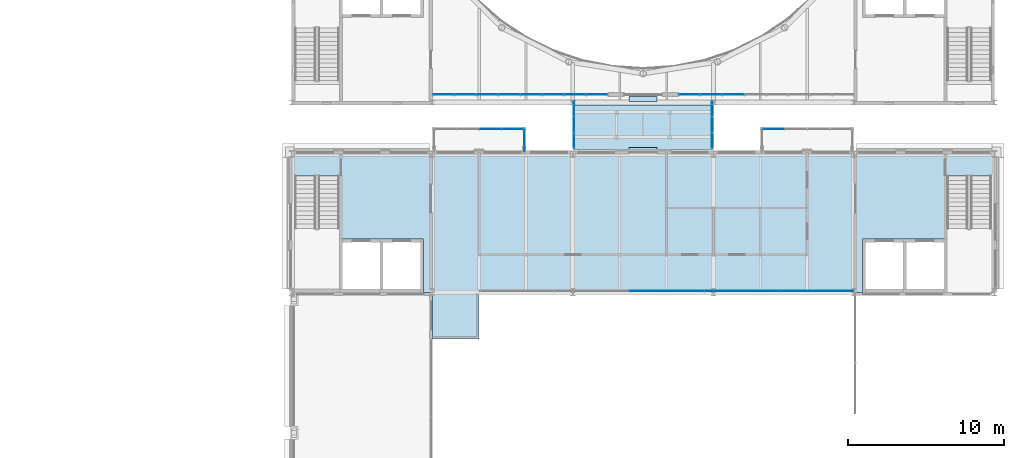
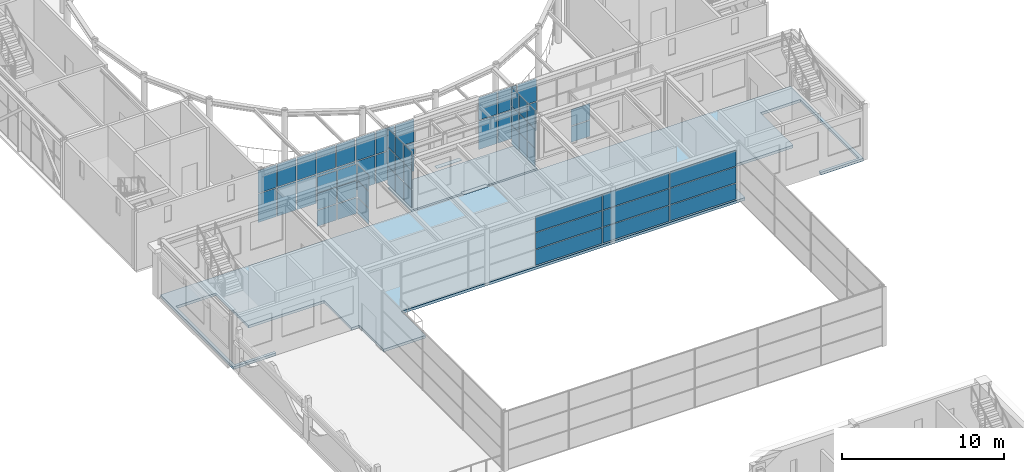
# One storey, part 46 of 70: 62 plates, 2 slabs, 8 elements without a shape of their own.
"""IFC4 building model written with IfcOpenShell, lengths in metres."""

import ifcopenshell
import ifcopenshell.guid

model = None  # the IFC model being written
_history = None  # IfcOwnerHistory: only IFC2X3 demands one
_inside = {}  # id of a spatial element -> (the spatial element, [elements in it])
_under = {}  # id of a project, library or spatial element -> (it, [spatial elements below it])
_declared = {}  # id of a project -> (the project, [libraries it declares])
_typed = {}  # id of a type object -> (the type object, [elements of that type])
_made_of = {}  # id of a material, layer set ... -> (it, [elements and type objects made of it])


def new_model(schema):
    """Start an empty IFC model of exactly this schema.

    Asked for "IFC4X3", IfcOpenShell would pick the latest addendum, in which some entities
    have other attributes; the version numbers below select the first issue.
    IFC2X3 requires an IfcOwnerHistory on every rooted entity: one is made here for all.
    """
    global model, _history
    if schema == "IFC4X3":
        model = ifcopenshell.file(schema_version=(4, 3, 0, 0))
    else:
        model = ifcopenshell.file(schema=schema)
    _inside.clear()
    _under.clear()
    _declared.clear()
    _typed.clear()
    _made_of.clear()
    _history = None
    if model.schema == "IFC2X3":
        org = make("IfcOrganization", Name="unknown")
        user = make(
            "IfcPersonAndOrganization",
            ThePerson=make("IfcPerson", FamilyName="unknown"),
            TheOrganization=org,
        )
        app = make(
            "IfcApplication",
            ApplicationDeveloper=org,
            Version="unknown",
            ApplicationFullName="unknown",
            ApplicationIdentifier="unknown",
        )
        _history = make(
            "IfcOwnerHistory",
            OwningUser=user,
            OwningApplication=app,
            ChangeAction="ADDED",
            CreationDate=0,
        )
    return model


def make(cls, **values):
    """One entity of the class cls with the attributes given. An attribute that is None is left unset."""
    return model.create_entity(
        cls, **{name: value for name, value in values.items() if value is not None}
    )


def rooted(cls, **values):
    """An entity with a GlobalId (a new one), such as an element, a storey or a relation."""
    return make(cls, GlobalId=ifcopenshell.guid.new(), OwnerHistory=_history, **values)


def si_unit(unit_type, name, prefix=None):
    """IfcSIUnit, for example si_unit("LENGTHUNIT", "METRE", prefix="MILLI")."""
    return make("IfcSIUnit", UnitType=unit_type, Prefix=prefix, Name=name)


def assignment(units):
    """IfcUnitAssignment: the units of a project."""
    return None if units is None else make("IfcUnitAssignment", Units=units)


def point(xyz):
    """IfcCartesianPoint."""
    return None if xyz is None else make("IfcCartesianPoint", Coordinates=xyz)


def direction(xyz):
    """IfcDirection."""
    return None if xyz is None else make("IfcDirection", DirectionRatios=xyz)


def frame(location, z_axis=None, x_axis=None):
    """IfcAxis2Placement3D, a coordinate frame: its origin and axes. An axis left out is left unset."""
    return make(
        "IfcAxis2Placement3D",
        Location=point(location),
        Axis=direction(z_axis),
        RefDirection=direction(x_axis),
    )


def frame_2d(location, x_axis=None):
    """IfcAxis2Placement2D, a coordinate frame in the plane: its origin and x axis."""
    return make(
        "IfcAxis2Placement2D", Location=point(location), RefDirection=direction(x_axis)
    )


def origin():
    """The frame at (0, 0, 0) with its axes left unset."""
    return frame((0.0, 0.0, 0.0))


def origin_2d():
    """The frame at (0, 0) in the plane with its x axis left unset."""
    return frame_2d((0.0, 0.0))


def place(relative_to, where):
    """IfcLocalPlacement: puts the frame where relative to a parent placement (None: the world)."""
    return make(
        "IfcLocalPlacement", PlacementRelTo=relative_to, RelativePlacement=where
    )


def context(
    kind, dimensions, precision=None, world=None, true_north=None, identifier=None
):
    """IfcGeometricRepresentationContext, for example the 3D "Model" context."""
    return make(
        "IfcGeometricRepresentationContext",
        ContextIdentifier=identifier,
        ContextType=kind,
        CoordinateSpaceDimension=dimensions,
        Precision=precision,
        WorldCoordinateSystem=world,
        TrueNorth=true_north,
    )


def subcontext(parent, identifier, kind, view, scale=None):
    """IfcGeometricRepresentationSubContext, for example "Body" below "Model"."""
    return make(
        "IfcGeometricRepresentationSubContext",
        ContextIdentifier=identifier,
        ContextType=kind,
        ParentContext=parent,
        TargetScale=scale,
        TargetView=view,
    )


def project(units=None, contexts=None):
    """IfcProject with its units and contexts."""
    return rooted(
        "IfcProject",
        Name="project",
        RepresentationContexts=contexts,
        UnitsInContext=assignment(units),
    )


def spatial(cls, under=None, at=None, **own):
    """A site, building, storey or space (cls), placed at a placement, below another one or the project."""
    s = rooted(cls, ObjectPlacement=at, **own)
    if under is not None:
        _under.setdefault(under.id(), (under, []))[1].append(s)
    return s


def polyline(points):
    """IfcPolyline through the points."""
    return make("IfcPolyline", Points=[point(p) for p in points])


def profile(cls, at=None, kind="AREA", **sizes):
    """A parametric profile (cls). Its sizes go by their IFC names, for example OverallWidth=200.0."""
    return make(cls, ProfileType=kind, Position=at, **sizes)


def rectangle(**sizes):
    """IfcRectangleProfileDef."""
    return profile("IfcRectangleProfileDef", **sizes)


def outline(outer, holes=None, kind="AREA"):
    """IfcArbitraryClosedProfileDef: a profile drawn as a closed curve; with holes, ...WithVoids."""
    if holes is None:
        return make("IfcArbitraryClosedProfileDef", ProfileType=kind, OuterCurve=outer)
    return make(
        "IfcArbitraryProfileDefWithVoids",
        ProfileType=kind,
        OuterCurve=outer,
        InnerCurves=holes,
    )


def extrude(swept, where, along, depth):
    """IfcExtrudedAreaSolid: the profile swept, set in the frame where, extruded along a direction by depth."""
    return make(
        "IfcExtrudedAreaSolid",
        SweptArea=swept,
        Position=where,
        ExtrudedDirection=direction(along),
        Depth=depth,
    )


def shape(context_of_items, identifier, shape_type, items):
    """IfcShapeRepresentation: the items that make up one representation, for example the "Body"."""
    return make(
        "IfcShapeRepresentation",
        ContextOfItems=context_of_items,
        RepresentationIdentifier=identifier,
        RepresentationType=shape_type,
        Items=items,
    )


def material(Name=None, Category=None):
    """IfcMaterial."""
    return make("IfcMaterial", Name=Name, Category=Category)


def layer(
    of_material, thickness, ventilated=None, Name=None, Category=None, Priority=None
):
    """IfcMaterialLayer: one layer of a wall or slab, of a material (None: an air gap)."""
    return make(
        "IfcMaterialLayer",
        Material=of_material,
        LayerThickness=thickness,
        IsVentilated=ventilated,
        Name=Name,
        Category=Category,
        Priority=Priority,
    )


def layer_set(layers, Name=None):
    """IfcMaterialLayerSet."""
    return make("IfcMaterialLayerSet", MaterialLayers=layers, LayerSetName=Name)


def made_of(thing, what):
    """Note that an element or type object is made of a material, layer set ...; save() writes the relation."""
    if what is not None:
        _made_of.setdefault(what.id(), (what, []))[1].append(thing)
    return thing


def type_object(cls, material=None, **own):
    """A type object (cls), such as IfcWallType, which elements share."""
    return made_of(rooted(cls, **own), material)


def element(
    cls,
    number,
    at=None,
    inside=None,
    cuts=None,
    type_object=None,
    material=None,
    context=None,
    identifier="Body",
    shape_type=None,
    held_by="IfcProductDefinitionShape",
    body=None,
    shapes=None,
    **own,
):
    """One element of the class cls, such as IfcWall. Its Tag is "e" and its number.

    at: its placement. inside: the storey or other place that contains it. cuts: it is an
    opening in that element (IfcRelVoidsElement). A single representation is given by context,
    identifier, shape_type and body (its items); several are given by shapes. held_by: the class
    of the entity that holds the representations. save() writes the other relations.
    """
    e = rooted(cls, Tag="e%d" % number, ObjectPlacement=at, **own)
    if body is not None:
        shapes = [shape(context, identifier, shape_type, body)]
    if shapes is not None:
        e.Representation = make(held_by, Representations=shapes)
    if inside is not None:
        _inside.setdefault(inside.id(), (inside, []))[1].append(e)
    if cuts is not None:
        rooted(
            "IfcRelVoidsElement", RelatingBuildingElement=cuts, RelatedOpeningElement=e
        )
    if type_object is not None:
        _typed.setdefault(type_object.id(), (type_object, []))[1].append(e)
    return made_of(e, material)


def aggregate(whole, parts):
    """IfcRelAggregates: a whole, such as a stair, and the parts it consists of."""
    return rooted("IfcRelAggregates", RelatingObject=whole, RelatedObjects=parts)


def save(model, path):
    """Write the relations noted so far, then the file.

    IfcRelAggregates (storeys below a building ...), IfcRelContainedInSpatialStructure (elements
    in a storey), IfcRelDefinesByType, IfcRelAssociatesMaterial and IfcRelDeclares: one each for
    every whole, place, type object, material and project.
    """
    for whole, parts in _under.values():
        aggregate(whole, parts)
    for where, things in _inside.values():
        rooted(
            "IfcRelContainedInSpatialStructure",
            RelatedElements=things,
            RelatingStructure=where,
        )
    for kind, things in _typed.values():
        rooted("IfcRelDefinesByType", RelatedObjects=things, RelatingType=kind)
    for what, things in _made_of.values():
        rooted("IfcRelAssociatesMaterial", RelatedObjects=things, RelatingMaterial=what)
    for by, libraries in _declared.values():
        rooted("IfcRelDeclares", RelatingContext=by, RelatedDefinitions=libraries)
    model.write(path)


model = new_model("IFC4")

# Units and contexts
model_context = context("Model", 3, precision=1e-05, world=origin(), true_north=direction((0.0, 1.0)))
body_context = subcontext(model_context, "Body", "Model", "MODEL_VIEW")
ifc_project = project(units=[si_unit("LENGTHUNIT", "METRE"), si_unit("AREAUNIT", "SQUARE_METRE"), si_unit("VOLUMEUNIT", "CUBIC_METRE"), si_unit("PLANEANGLEUNIT", "RADIAN"), si_unit("MASSUNIT", "GRAM", prefix="KILO")], contexts=[model_context])

# Site, building, storey
site_placement = place(None, origin())
site = spatial("IfcSite", under=ifc_project, at=site_placement, CompositionType="ELEMENT")
building_placement = place(site_placement, origin())
building = spatial("IfcBuilding", under=site, at=building_placement, Name="Kallimachos Central Library", CompositionType="ELEMENT")
storey_placement = place(building_placement, frame((0.0, 0.0, 18.89990234375)))
storey = spatial("IfcBuildingStorey", under=building, at=storey_placement, Name="L04", CompositionType="ELEMENT", Elevation=18.89990234375)

# Curtain wall, plates
ifc_material_1 = material(Name="Aluminium and laminated glass", Category="aluminium")
curtain_wall_type_1 = type_object("IfcCurtainWallType", Name="Atrium glazed screen", PredefinedType="NOTDEFINED", material=ifc_material_1)
curtain_wall_1_placement = place(storey_placement, origin())
curtain_wall_1 = element("IfcCurtainWall", 1, at=curtain_wall_1_placement, inside=storey, type_object=curtain_wall_type_1, Name="L04 atrium screen N", PredefinedType="NOTDEFINED")
ifc_material_2 = material(Name="Laminated glass", Category="glass")
ifc_layer_1 = layer(ifc_material_2, 0.028076171875)
ifc_layer_set_1 = layer_set([ifc_layer_1], Name="Atrium screen glass panel")
plate_type_1 = type_object("IfcPlateType", Name="Atrium screen glass panel", PredefinedType="CURTAIN_PANEL", material=ifc_layer_set_1)
plate_1_placement = place(storey_placement, frame((89.5, 75.080078125, 0.06005859375), z_axis=(0.0, 0.0, 1.0), x_axis=(1.0, 0.0, 0.0)))
plate_1 = element("IfcPlate", 2, at=plate_1_placement, type_object=plate_type_1, Name="CW panel 3.1", PredefinedType="CURTAIN_PANEL", context=body_context, shape_type="SweptSolid", body=[
    extrude(rectangle(XDim=4.739990234375, YDim=0.028076171875, at=origin_2d()), origin(), (0.0, 0.0, 1.0), 1.1767578125),
])
plate_2_placement = place(storey_placement, frame((89.5, 75.080078125, 1.296875), z_axis=(0.0, 0.0, 1.0), x_axis=(1.0, 0.0, 0.0)))
plate_2 = element("IfcPlate", 3, at=plate_2_placement, type_object=plate_type_1, Name="CW panel 3.2", PredefinedType="CURTAIN_PANEL", context=body_context, shape_type="SweptSolid", body=[
    extrude(rectangle(XDim=4.739990234375, YDim=0.028076171875, at=origin_2d()), origin(), (0.0, 0.0, 1.0), 1.206787109375),
])
plate_3_placement = place(storey_placement, frame((89.5, 75.080078125, 2.5634765625), z_axis=(0.0, 0.0, 1.0), x_axis=(1.0, 0.0, 0.0)))
plate_3 = element("IfcPlate", 4, at=plate_3_placement, type_object=plate_type_1, Name="CW panel 3.3", PredefinedType="CURTAIN_PANEL", context=body_context, shape_type="SweptSolid", body=[
    extrude(rectangle(XDim=4.739990234375, YDim=0.028076171875, at=origin_2d()), origin(), (0.0, 0.0, 1.0), 1.1767578125),
])
plate_4_placement = place(storey_placement, frame((94.300048828125, 75.080078125, 0.06005859375), z_axis=(0.0, 0.0, 1.0), x_axis=(1.0, 0.0, 0.0)))
plate_4 = element("IfcPlate", 5, at=plate_4_placement, type_object=plate_type_1, Name="CW panel 4.1", PredefinedType="CURTAIN_PANEL", context=body_context, shape_type="SweptSolid", body=[
    extrude(rectangle(XDim=4.739990234375, YDim=0.028076171875, at=origin_2d()), origin(), (0.0, 0.0, 1.0), 1.1767578125),
])
plate_5_placement = place(storey_placement, frame((94.300048828125, 75.080078125, 1.296875), z_axis=(0.0, 0.0, 1.0), x_axis=(1.0, 0.0, 0.0)))
plate_5 = element("IfcPlate", 6, at=plate_5_placement, type_object=plate_type_1, Name="CW panel 4.2", PredefinedType="CURTAIN_PANEL", context=body_context, shape_type="SweptSolid", body=[
    extrude(rectangle(XDim=4.739990234375, YDim=0.028076171875, at=origin_2d()), origin(), (0.0, 0.0, 1.0), 1.206787109375),
])
plate_6_placement = place(storey_placement, frame((94.300048828125, 75.080078125, 2.5634765625), z_axis=(0.0, 0.0, 1.0), x_axis=(1.0, 0.0, 0.0)))
plate_6 = element("IfcPlate", 7, at=plate_6_placement, type_object=plate_type_1, Name="CW panel 4.3", PredefinedType="CURTAIN_PANEL", context=body_context, shape_type="SweptSolid", body=[
    extrude(rectangle(XDim=4.739990234375, YDim=0.028076171875, at=origin_2d()), origin(), (0.0, 0.0, 1.0), 1.1767578125),
])
plate_7_placement = place(storey_placement, frame((99.0849609375, 75.080078125, 0.06005859375), z_axis=(0.0, 0.0, 1.0), x_axis=(1.0, 0.0, 0.0)))
plate_7 = element("IfcPlate", 8, at=plate_7_placement, type_object=plate_type_1, Name="CW panel 5.1", PredefinedType="CURTAIN_PANEL", context=body_context, shape_type="SweptSolid", body=[
    extrude(rectangle(XDim=4.7099609375, YDim=0.028076171875, at=origin_2d()), origin(), (0.0, 0.0, 1.0), 1.1767578125),
])
plate_8_placement = place(storey_placement, frame((99.0849609375, 75.080078125, 1.296875), z_axis=(0.0, 0.0, 1.0), x_axis=(1.0, 0.0, 0.0)))
plate_8 = element("IfcPlate", 9, at=plate_8_placement, type_object=plate_type_1, Name="CW panel 5.2", PredefinedType="CURTAIN_PANEL", context=body_context, shape_type="SweptSolid", body=[
    extrude(rectangle(XDim=4.7099609375, YDim=0.028076171875, at=origin_2d()), origin(), (0.0, 0.0, 1.0), 1.206787109375),
])
plate_9_placement = place(storey_placement, frame((99.0849609375, 75.080078125, 2.5634765625), z_axis=(0.0, 0.0, 1.0), x_axis=(1.0, 0.0, 0.0)))
plate_9 = element("IfcPlate", 10, at=plate_9_placement, type_object=plate_type_1, Name="CW panel 5.3", PredefinedType="CURTAIN_PANEL", context=body_context, shape_type="SweptSolid", body=[
    extrude(rectangle(XDim=4.7099609375, YDim=0.028076171875, at=origin_2d()), origin(), (0.0, 0.0, 1.0), 1.1767578125),
])
aggregate(curtain_wall_1, [plate_1, plate_2, plate_3, plate_4, plate_5, plate_6, plate_7, plate_8, plate_9])

# Slabs
ifc_material_3 = material(Name="Composite slab C30/37 on steel deck", Category="concrete")
ifc_layer_2 = layer(ifc_material_3, 0.14990234375)
ifc_layer_set_2 = layer_set([ifc_layer_2], Name="Composite floor slab 150")
slab_type_1 = type_object("IfcSlabType", Name="Composite floor slab 150", PredefinedType="FLOOR", material=ifc_layer_set_2)
slab_1_placement = place(storey_placement, frame((0.0, 0.0, -0.14990234375)))
element("IfcSlab", 11, at=slab_1_placement, inside=storey, type_object=slab_type_1, Name="Reading Link floor L04", PredefinedType="FLOOR", context=body_context, shape_type="SweptSolid", body=[
    extrude(outline(polyline([(92.5, 84.14990234375), (83.5, 84.14990234375), (83.5, 87.0), (92.5, 87.0), (92.5, 84.14990234375)])), origin(), (0.0, 0.0, 1.0), 0.14990234375),
])
ifc_material_4 = material(Name="Composite slab C30/37 on steel deck", Category="concrete")
ifc_layer_3 = layer(ifc_material_4, 0.199951171875)
ifc_layer_set_3 = layer_set([ifc_layer_3], Name="Composite floor slab 200")
slab_type_2 = type_object("IfcSlabType", Name="Composite floor slab 200", PredefinedType="FLOOR", material=ifc_layer_set_3)
slab_2_placement = place(storey_placement, frame((0.0, 0.0, -0.199951171875)))
element("IfcSlab", 12, at=slab_2_placement, inside=storey, type_object=slab_type_2, Name="V4-SLB-L04-001", PredefinedType="FLOOR", context=body_context, shape_type="SweptSolid", body=[
    extrude(outline(polyline([(74.5, 72.0), (74.5, 75.0), (73.949951171875, 75.0), (73.949951171875, 78.39990234375), (71.35009765625, 78.39990234375), (71.14990234375, 78.39990234375), (68.550048828125, 78.39990234375), (68.550048828125, 82.446044921875), (65.699951171875, 82.446044921875), (65.699951171875, 75.199951171875), (68.550048828125, 75.199951171875), (68.550048828125, 75.0), (65.5, 75.0), (65.5, 84.0), (110.5, 84.0), (110.5, 75.0), (107.449951171875, 75.0), (107.449951171875, 75.199951171875), (110.300048828125, 75.199951171875), (110.300048828125, 82.446044921875), (107.449951171875, 82.446044921875), (107.449951171875, 78.39990234375), (104.85009765625, 78.39990234375), (104.64990234375, 78.39990234375), (102.050048828125, 78.39990234375), (102.050048828125, 75.0), (77.5, 75.0), (77.5, 72.0), (74.5, 72.0)])), origin(), (0.0, 0.0, 1.0), 0.199951171875),
])

# Plates
ifc_material_5 = material(Name="Stainless steel plate", Category="steel")
ifc_layer_4 = layer(ifc_material_5, 0.011962890625)
ifc_layer_set_4 = layer_set([ifc_layer_4], Name="Joint cover plate")
plate_type_2 = type_object("IfcPlateType", Name="Joint cover plate", PredefinedType="SHEET", material=ifc_layer_set_4)
for number, where, z_axis, x_axis, name in (
    (13, (88.0, 84.10791015625, 0.0), (0.0, 0.0, 1.0), (1.0, 0.0, 0.0), "Reading Link joint cover plate L04"),
    (14, (88.0, 87.375, 0.0), (0.0, 0.0, 1.0), (1.0, 0.0, 0.0), "Reading Link joint cover plate L04"),
):
    element("IfcPlate", number, at=place(storey_placement, frame(where, z_axis=z_axis, x_axis=x_axis)), inside=storey, type_object=plate_type_2, Name=name, PredefinedType="SHEET", context=body_context, shape_type="SweptSolid", body=[
        extrude(rectangle(XDim=1.780029296875, YDim=0.300048828125, at=origin_2d()), origin(), (0.0, 0.0, 1.0), 0.011962890625),
    ])

# Curtain wall, plates
ifc_material_6 = material(Name="Anodised aluminium and laminated glass", Category="aluminium")
ifc_layer_5 = layer(ifc_material_6, 0.159912109375)
ifc_layer_set_5 = layer_set([ifc_layer_5], Name="Glass box curtain wall")
curtain_wall_type_2 = type_object("IfcCurtainWallType", Name="Glass box curtain wall", PredefinedType="NOTDEFINED", material=ifc_layer_set_5)
curtain_wall_2_placement = place(storey_placement, origin())
curtain_wall_2 = element("IfcCurtainWall", 15, at=curtain_wall_2_placement, inside=storey, type_object=curtain_wall_type_2, Name="Glass box curtain wall S L04", PredefinedType="NOTDEFINED")
ifc_material_7 = material(Name="Laminated glass", Category="glass")
ifc_layer_6 = layer(ifc_material_7, 0.028076171875)
ifc_layer_set_6 = layer_set([ifc_layer_6], Name="Laminated glass panel 28")
plate_type_3 = type_object("IfcPlateType", Name="Laminated glass panel 28", PredefinedType="CURTAIN_PANEL", material=ifc_layer_set_6)
plate_10_placement = place(storey_placement, frame((75.218017578125, 87.64990234375, 0.06005859375), z_axis=(0.0, 0.0, 1.0), x_axis=(1.0, 0.0, 0.0)))
plate_10 = element("IfcPlate", 16, at=plate_10_placement, type_object=plate_type_3, Name="CW28 panel 1.1", PredefinedType="CURTAIN_PANEL", context=body_context, shape_type="SweptSolid", body=[
    extrude(rectangle(XDim=1.316162109375, YDim=0.028076171875, at=origin_2d()), origin(), (0.0, 0.0, 1.0), 2.159912109375),
])
plate_11_placement = place(storey_placement, frame((75.218017578125, 87.64990234375, 2.280029296875), z_axis=(0.0, 0.0, 1.0), x_axis=(1.0, 0.0, 0.0)))
plate_11 = element("IfcPlate", 17, at=plate_11_placement, type_object=plate_type_3, Name="CW28 panel 1.2", PredefinedType="CURTAIN_PANEL", context=body_context, shape_type="SweptSolid", body=[
    extrude(rectangle(XDim=1.316162109375, YDim=0.028076171875, at=origin_2d()), origin(), (0.0, 0.0, 1.0), 1.7099609375),
])
plate_12_placement = place(storey_placement, frame((76.609375, 87.64990234375, 0.06005859375), z_axis=(0.0, 0.0, 1.0), x_axis=(1.0, 0.0, 0.0)))
plate_12 = element("IfcPlate", 18, at=plate_12_placement, type_object=plate_type_3, Name="CW28 panel 2.1", PredefinedType="CURTAIN_PANEL", context=body_context, shape_type="SweptSolid", body=[
    extrude(rectangle(XDim=1.34619140625, YDim=0.028076171875, at=origin_2d()), origin(), (0.0, 0.0, 1.0), 2.159912109375),
])
plate_13_placement = place(storey_placement, frame((76.609375, 87.64990234375, 2.280029296875), z_axis=(0.0, 0.0, 1.0), x_axis=(1.0, 0.0, 0.0)))
plate_13 = element("IfcPlate", 19, at=plate_13_placement, type_object=plate_type_3, Name="CW28 panel 2.2", PredefinedType="CURTAIN_PANEL", context=body_context, shape_type="SweptSolid", body=[
    extrude(rectangle(XDim=1.34619140625, YDim=0.028076171875, at=origin_2d()), origin(), (0.0, 0.0, 1.0), 1.7099609375),
])
plate_14_placement = place(storey_placement, frame((78.015625, 87.64990234375, 0.06005859375), z_axis=(0.0, 0.0, 1.0), x_axis=(1.0, 0.0, 0.0)))
plate_14 = element("IfcPlate", 20, at=plate_14_placement, type_object=plate_type_3, Name="CW28 panel 3.1", PredefinedType="CURTAIN_PANEL", context=body_context, shape_type="SweptSolid", body=[
    extrude(rectangle(XDim=1.34619140625, YDim=0.028076171875, at=origin_2d()), origin(), (0.0, 0.0, 1.0), 2.159912109375),
])
plate_15_placement = place(storey_placement, frame((78.015625, 87.64990234375, 2.280029296875), z_axis=(0.0, 0.0, 1.0), x_axis=(1.0, 0.0, 0.0)))
plate_15 = element("IfcPlate", 21, at=plate_15_placement, type_object=plate_type_3, Name="CW28 panel 3.2", PredefinedType="CURTAIN_PANEL", context=body_context, shape_type="SweptSolid", body=[
    extrude(rectangle(XDim=1.34619140625, YDim=0.028076171875, at=origin_2d()), origin(), (0.0, 0.0, 1.0), 1.7099609375),
])
plate_16_placement = place(storey_placement, frame((79.421875, 87.64990234375, 0.06005859375), z_axis=(0.0, 0.0, 1.0), x_axis=(1.0, 0.0, 0.0)))
plate_16 = element("IfcPlate", 22, at=plate_16_placement, type_object=plate_type_3, Name="CW28 panel 4.1", PredefinedType="CURTAIN_PANEL", context=body_context, shape_type="SweptSolid", body=[
    extrude(rectangle(XDim=1.34619140625, YDim=0.028076171875, at=origin_2d()), origin(), (0.0, 0.0, 1.0), 2.159912109375),
])
plate_17_placement = place(storey_placement, frame((79.421875, 87.64990234375, 2.280029296875), z_axis=(0.0, 0.0, 1.0), x_axis=(1.0, 0.0, 0.0)))
plate_17 = element("IfcPlate", 23, at=plate_17_placement, type_object=plate_type_3, Name="CW28 panel 4.2", PredefinedType="CURTAIN_PANEL", context=body_context, shape_type="SweptSolid", body=[
    extrude(rectangle(XDim=1.34619140625, YDim=0.028076171875, at=origin_2d()), origin(), (0.0, 0.0, 1.0), 1.7099609375),
])
plate_18_placement = place(storey_placement, frame((80.828125, 87.64990234375, 0.06005859375), z_axis=(0.0, 0.0, 1.0), x_axis=(1.0, 0.0, 0.0)))
plate_18 = element("IfcPlate", 24, at=plate_18_placement, type_object=plate_type_3, Name="CW28 panel 5.1", PredefinedType="CURTAIN_PANEL", context=body_context, shape_type="SweptSolid", body=[
    extrude(rectangle(XDim=1.34619140625, YDim=0.028076171875, at=origin_2d()), origin(), (0.0, 0.0, 1.0), 2.159912109375),
])
plate_19_placement = place(storey_placement, frame((80.828125, 87.64990234375, 2.280029296875), z_axis=(0.0, 0.0, 1.0), x_axis=(1.0, 0.0, 0.0)))
plate_19 = element("IfcPlate", 25, at=plate_19_placement, type_object=plate_type_3, Name="CW28 panel 5.2", PredefinedType="CURTAIN_PANEL", context=body_context, shape_type="SweptSolid", body=[
    extrude(rectangle(XDim=1.34619140625, YDim=0.028076171875, at=origin_2d()), origin(), (0.0, 0.0, 1.0), 1.7099609375),
])
plate_20_placement = place(storey_placement, frame((82.234375, 87.64990234375, 0.06005859375), z_axis=(0.0, 0.0, 1.0), x_axis=(1.0, 0.0, 0.0)))
plate_20 = element("IfcPlate", 26, at=plate_20_placement, type_object=plate_type_3, Name="CW28 panel 6.1", PredefinedType="CURTAIN_PANEL", context=body_context, shape_type="SweptSolid", body=[
    extrude(rectangle(XDim=1.34619140625, YDim=0.028076171875, at=origin_2d()), origin(), (0.0, 0.0, 1.0), 2.159912109375),
])
plate_21_placement = place(storey_placement, frame((82.234375, 87.64990234375, 2.280029296875), z_axis=(0.0, 0.0, 1.0), x_axis=(1.0, 0.0, 0.0)))
plate_21 = element("IfcPlate", 27, at=plate_21_placement, type_object=plate_type_3, Name="CW28 panel 6.2", PredefinedType="CURTAIN_PANEL", context=body_context, shape_type="SweptSolid", body=[
    extrude(rectangle(XDim=1.34619140625, YDim=0.028076171875, at=origin_2d()), origin(), (0.0, 0.0, 1.0), 1.7099609375),
])
plate_22_placement = place(storey_placement, frame((83.640625, 87.64990234375, 0.06005859375), z_axis=(0.0, 0.0, 1.0), x_axis=(1.0, 0.0, 0.0)))
plate_22 = element("IfcPlate", 28, at=plate_22_placement, type_object=plate_type_3, Name="CW28 panel 7.1", PredefinedType="CURTAIN_PANEL", context=body_context, shape_type="SweptSolid", body=[
    extrude(rectangle(XDim=1.34619140625, YDim=0.028076171875, at=origin_2d()), origin(), (0.0, 0.0, 1.0), 2.159912109375),
])
plate_23_placement = place(storey_placement, frame((83.640625, 87.64990234375, 2.280029296875), z_axis=(0.0, 0.0, 1.0), x_axis=(1.0, 0.0, 0.0)))
plate_23 = element("IfcPlate", 29, at=plate_23_placement, type_object=plate_type_3, Name="CW28 panel 7.2", PredefinedType="CURTAIN_PANEL", context=body_context, shape_type="SweptSolid", body=[
    extrude(rectangle(XDim=1.34619140625, YDim=0.028076171875, at=origin_2d()), origin(), (0.0, 0.0, 1.0), 1.7099609375),
])
plate_24_placement = place(storey_placement, frame((85.031982421875, 87.64990234375, 0.06005859375), z_axis=(0.0, 0.0, 1.0), x_axis=(1.0, 0.0, 0.0)))
plate_24 = element("IfcPlate", 30, at=plate_24_placement, type_object=plate_type_3, Name="CW28 panel 8.1", PredefinedType="CURTAIN_PANEL", context=body_context, shape_type="SweptSolid", body=[
    extrude(rectangle(XDim=1.316162109375, YDim=0.028076171875, at=origin_2d()), origin(), (0.0, 0.0, 1.0), 2.159912109375),
])
plate_25_placement = place(storey_placement, frame((85.031982421875, 87.64990234375, 2.280029296875), z_axis=(0.0, 0.0, 1.0), x_axis=(1.0, 0.0, 0.0)))
plate_25 = element("IfcPlate", 31, at=plate_25_placement, type_object=plate_type_3, Name="CW28 panel 8.2", PredefinedType="CURTAIN_PANEL", context=body_context, shape_type="SweptSolid", body=[
    extrude(rectangle(XDim=1.316162109375, YDim=0.028076171875, at=origin_2d()), origin(), (0.0, 0.0, 1.0), 1.7099609375),
])
aggregate(curtain_wall_2, [plate_10, plate_11, plate_12, plate_13, plate_14, plate_15, plate_16, plate_17, plate_18, plate_19, plate_20, plate_21, plate_22, plate_23, plate_24, plate_25])

curtain_wall_3_placement = place(storey_placement, origin())
curtain_wall_3 = element("IfcCurtainWall", 32, at=curtain_wall_3_placement, inside=storey, type_object=curtain_wall_type_2, Name="Glass box curtain wall S L04", PredefinedType="NOTDEFINED")
plate_26_placement = place(storey_placement, frame((90.968017578125, 87.64990234375, 0.06005859375), z_axis=(0.0, 0.0, 1.0), x_axis=(1.0, 0.0, 0.0)))
plate_26 = element("IfcPlate", 33, at=plate_26_placement, type_object=plate_type_3, Name="CW29 panel 1.1", PredefinedType="CURTAIN_PANEL", context=body_context, shape_type="SweptSolid", body=[
    extrude(rectangle(XDim=1.316162109375, YDim=0.028076171875, at=origin_2d()), origin(), (0.0, 0.0, 1.0), 2.159912109375),
])
plate_27_placement = place(storey_placement, frame((90.968017578125, 87.64990234375, 2.280029296875), z_axis=(0.0, 0.0, 1.0), x_axis=(1.0, 0.0, 0.0)))
plate_27 = element("IfcPlate", 34, at=plate_27_placement, type_object=plate_type_3, Name="CW29 panel 1.2", PredefinedType="CURTAIN_PANEL", context=body_context, shape_type="SweptSolid", body=[
    extrude(rectangle(XDim=1.316162109375, YDim=0.028076171875, at=origin_2d()), origin(), (0.0, 0.0, 1.0), 1.7099609375),
])
plate_28_placement = place(storey_placement, frame((92.359375, 87.64990234375, 0.06005859375), z_axis=(0.0, 0.0, 1.0), x_axis=(1.0, 0.0, 0.0)))
plate_28 = element("IfcPlate", 35, at=plate_28_placement, type_object=plate_type_3, Name="CW29 panel 2.1", PredefinedType="CURTAIN_PANEL", context=body_context, shape_type="SweptSolid", body=[
    extrude(rectangle(XDim=1.34619140625, YDim=0.028076171875, at=origin_2d()), origin(), (0.0, 0.0, 1.0), 2.159912109375),
])
plate_29_placement = place(storey_placement, frame((92.359375, 87.64990234375, 2.280029296875), z_axis=(0.0, 0.0, 1.0), x_axis=(1.0, 0.0, 0.0)))
plate_29 = element("IfcPlate", 36, at=plate_29_placement, type_object=plate_type_3, Name="CW29 panel 2.2", PredefinedType="CURTAIN_PANEL", context=body_context, shape_type="SweptSolid", body=[
    extrude(rectangle(XDim=1.34619140625, YDim=0.028076171875, at=origin_2d()), origin(), (0.0, 0.0, 1.0), 1.7099609375),
])
plate_30_placement = place(storey_placement, frame((93.765625, 87.64990234375, 0.06005859375), z_axis=(0.0, 0.0, 1.0), x_axis=(1.0, 0.0, 0.0)))
plate_30 = element("IfcPlate", 37, at=plate_30_placement, type_object=plate_type_3, Name="CW29 panel 3.1", PredefinedType="CURTAIN_PANEL", context=body_context, shape_type="SweptSolid", body=[
    extrude(rectangle(XDim=1.34619140625, YDim=0.028076171875, at=origin_2d()), origin(), (0.0, 0.0, 1.0), 2.159912109375),
])
plate_31_placement = place(storey_placement, frame((93.765625, 87.64990234375, 2.280029296875), z_axis=(0.0, 0.0, 1.0), x_axis=(1.0, 0.0, 0.0)))
plate_31 = element("IfcPlate", 38, at=plate_31_placement, type_object=plate_type_3, Name="CW29 panel 3.2", PredefinedType="CURTAIN_PANEL", context=body_context, shape_type="SweptSolid", body=[
    extrude(rectangle(XDim=1.34619140625, YDim=0.028076171875, at=origin_2d()), origin(), (0.0, 0.0, 1.0), 1.7099609375),
])
aggregate(curtain_wall_3, [plate_26, plate_27, plate_28, plate_29, plate_30, plate_31])

ifc_material_8 = material(Name="Aluminium and laminated glass", Category="aluminium")
curtain_wall_type_3 = type_object("IfcCurtainWallType", Name="Link glazed wall", PredefinedType="NOTDEFINED", material=ifc_material_8)
curtain_wall_4_placement = place(storey_placement, origin())
curtain_wall_4 = element("IfcCurtainWall", 39, at=curtain_wall_4_placement, inside=storey, type_object=curtain_wall_type_3, Name="Reading Link glazed wall L04", PredefinedType="NOTDEFINED")
plate_32_placement = place(storey_placement, frame((83.580078125, 84.7275390625, 0.06005859375), z_axis=(0.0, 0.0, 1.0), x_axis=(0.0, 1.0, 0.0)))
plate_32 = element("IfcPlate", 40, at=plate_32_placement, type_object=plate_type_3, Name="CW70 panel 1.1", PredefinedType="CURTAIN_PANEL", context=body_context, shape_type="SweptSolid", body=[
    extrude(rectangle(XDim=0.93505859375, YDim=0.028076171875, at=origin_2d()), origin(), (0.0, 0.0, 1.0), 1.360107421875),
])
plate_33_placement = place(storey_placement, frame((83.580078125, 84.7275390625, 1.47998046875), z_axis=(0.0, 0.0, 1.0), x_axis=(0.0, 1.0, 0.0)))
plate_33 = element("IfcPlate", 41, at=plate_33_placement, type_object=plate_type_3, Name="CW70 panel 1.2", PredefinedType="CURTAIN_PANEL", context=body_context, shape_type="SweptSolid", body=[
    extrude(rectangle(XDim=0.93505859375, YDim=0.028076171875, at=origin_2d()), origin(), (0.0, 0.0, 1.0), 1.389892578125),
])
plate_34_placement = place(storey_placement, frame((83.580078125, 84.7275390625, 2.93017578125), z_axis=(0.0, 0.0, 1.0), x_axis=(0.0, 1.0, 0.0)))
plate_34 = element("IfcPlate", 42, at=plate_34_placement, type_object=plate_type_3, Name="CW70 panel 1.3", PredefinedType="CURTAIN_PANEL", context=body_context, shape_type="SweptSolid", body=[
    extrude(rectangle(XDim=0.93505859375, YDim=0.028076171875, at=origin_2d()), origin(), (0.0, 0.0, 1.0), 1.360107421875),
])
plate_35_placement = place(storey_placement, frame((83.580078125, 85.737548828125, 0.06005859375), z_axis=(0.0, 0.0, 1.0), x_axis=(0.0, 1.0, 0.0)))
plate_35 = element("IfcPlate", 43, at=plate_35_placement, type_object=plate_type_3, Name="CW70 panel 2.1", PredefinedType="CURTAIN_PANEL", context=body_context, shape_type="SweptSolid", body=[
    extrude(rectangle(XDim=0.965087890625, YDim=0.028076171875, at=origin_2d()), origin(), (0.0, 0.0, 1.0), 1.360107421875),
])
plate_36_placement = place(storey_placement, frame((83.580078125, 85.737548828125, 1.47998046875), z_axis=(0.0, 0.0, 1.0), x_axis=(0.0, 1.0, 0.0)))
plate_36 = element("IfcPlate", 44, at=plate_36_placement, type_object=plate_type_3, Name="CW70 panel 2.2", PredefinedType="CURTAIN_PANEL", context=body_context, shape_type="SweptSolid", body=[
    extrude(rectangle(XDim=0.965087890625, YDim=0.028076171875, at=origin_2d()), origin(), (0.0, 0.0, 1.0), 1.389892578125),
])
plate_37_placement = place(storey_placement, frame((83.580078125, 85.737548828125, 2.93017578125), z_axis=(0.0, 0.0, 1.0), x_axis=(0.0, 1.0, 0.0)))
plate_37 = element("IfcPlate", 45, at=plate_37_placement, type_object=plate_type_3, Name="CW70 panel 2.3", PredefinedType="CURTAIN_PANEL", context=body_context, shape_type="SweptSolid", body=[
    extrude(rectangle(XDim=0.965087890625, YDim=0.028076171875, at=origin_2d()), origin(), (0.0, 0.0, 1.0), 1.360107421875),
])
plate_38_placement = place(storey_placement, frame((83.580078125, 86.74755859375, 0.06005859375), z_axis=(0.0, 0.0, 1.0), x_axis=(0.0, 1.0, 0.0)))
plate_38 = element("IfcPlate", 46, at=plate_38_placement, type_object=plate_type_3, Name="CW70 panel 3.1", PredefinedType="CURTAIN_PANEL", context=body_context, shape_type="SweptSolid", body=[
    extrude(rectangle(XDim=0.93505859375, YDim=0.028076171875, at=origin_2d()), origin(), (0.0, 0.0, 1.0), 1.360107421875),
])
plate_39_placement = place(storey_placement, frame((83.580078125, 86.74755859375, 1.47998046875), z_axis=(0.0, 0.0, 1.0), x_axis=(0.0, 1.0, 0.0)))
plate_39 = element("IfcPlate", 47, at=plate_39_placement, type_object=plate_type_3, Name="CW70 panel 3.2", PredefinedType="CURTAIN_PANEL", context=body_context, shape_type="SweptSolid", body=[
    extrude(rectangle(XDim=0.93505859375, YDim=0.028076171875, at=origin_2d()), origin(), (0.0, 0.0, 1.0), 1.389892578125),
])
plate_40_placement = place(storey_placement, frame((83.580078125, 86.74755859375, 2.93017578125), z_axis=(0.0, 0.0, 1.0), x_axis=(0.0, 1.0, 0.0)))
plate_40 = element("IfcPlate", 48, at=plate_40_placement, type_object=plate_type_3, Name="CW70 panel 3.3", PredefinedType="CURTAIN_PANEL", context=body_context, shape_type="SweptSolid", body=[
    extrude(rectangle(XDim=0.93505859375, YDim=0.028076171875, at=origin_2d()), origin(), (0.0, 0.0, 1.0), 1.360107421875),
])
aggregate(curtain_wall_4, [plate_32, plate_33, plate_34, plate_35, plate_36, plate_37, plate_38, plate_39, plate_40])

curtain_wall_5_placement = place(storey_placement, origin())
curtain_wall_5 = element("IfcCurtainWall", 49, at=curtain_wall_5_placement, inside=storey, type_object=curtain_wall_type_3, Name="Reading Link glazed wall L04", PredefinedType="NOTDEFINED")
plate_41_placement = place(storey_placement, frame((92.419921875, 84.7275390625, 0.06005859375), z_axis=(0.0, 0.0, 1.0), x_axis=(0.0, 1.0, 0.0)))
plate_41 = element("IfcPlate", 50, at=plate_41_placement, type_object=plate_type_3, Name="CW71 panel 1.1", PredefinedType="CURTAIN_PANEL", context=body_context, shape_type="SweptSolid", body=[
    extrude(rectangle(XDim=0.93505859375, YDim=0.028076171875, at=origin_2d()), origin(), (0.0, 0.0, 1.0), 1.360107421875),
])
plate_42_placement = place(storey_placement, frame((92.419921875, 84.7275390625, 1.47998046875), z_axis=(0.0, 0.0, 1.0), x_axis=(0.0, 1.0, 0.0)))
plate_42 = element("IfcPlate", 51, at=plate_42_placement, type_object=plate_type_3, Name="CW71 panel 1.2", PredefinedType="CURTAIN_PANEL", context=body_context, shape_type="SweptSolid", body=[
    extrude(rectangle(XDim=0.93505859375, YDim=0.028076171875, at=origin_2d()), origin(), (0.0, 0.0, 1.0), 1.389892578125),
])
plate_43_placement = place(storey_placement, frame((92.419921875, 84.7275390625, 2.93017578125), z_axis=(0.0, 0.0, 1.0), x_axis=(0.0, 1.0, 0.0)))
plate_43 = element("IfcPlate", 52, at=plate_43_placement, type_object=plate_type_3, Name="CW71 panel 1.3", PredefinedType="CURTAIN_PANEL", context=body_context, shape_type="SweptSolid", body=[
    extrude(rectangle(XDim=0.93505859375, YDim=0.028076171875, at=origin_2d()), origin(), (0.0, 0.0, 1.0), 1.360107421875),
])
plate_44_placement = place(storey_placement, frame((92.419921875, 85.737548828125, 0.06005859375), z_axis=(0.0, 0.0, 1.0), x_axis=(0.0, 1.0, 0.0)))
plate_44 = element("IfcPlate", 53, at=plate_44_placement, type_object=plate_type_3, Name="CW71 panel 2.1", PredefinedType="CURTAIN_PANEL", context=body_context, shape_type="SweptSolid", body=[
    extrude(rectangle(XDim=0.965087890625, YDim=0.028076171875, at=origin_2d()), origin(), (0.0, 0.0, 1.0), 1.360107421875),
])
plate_45_placement = place(storey_placement, frame((92.419921875, 85.737548828125, 1.47998046875), z_axis=(0.0, 0.0, 1.0), x_axis=(0.0, 1.0, 0.0)))
plate_45 = element("IfcPlate", 54, at=plate_45_placement, type_object=plate_type_3, Name="CW71 panel 2.2", PredefinedType="CURTAIN_PANEL", context=body_context, shape_type="SweptSolid", body=[
    extrude(rectangle(XDim=0.965087890625, YDim=0.028076171875, at=origin_2d()), origin(), (0.0, 0.0, 1.0), 1.389892578125),
])
plate_46_placement = place(storey_placement, frame((92.419921875, 85.737548828125, 2.93017578125), z_axis=(0.0, 0.0, 1.0), x_axis=(0.0, 1.0, 0.0)))
plate_46 = element("IfcPlate", 55, at=plate_46_placement, type_object=plate_type_3, Name="CW71 panel 2.3", PredefinedType="CURTAIN_PANEL", context=body_context, shape_type="SweptSolid", body=[
    extrude(rectangle(XDim=0.965087890625, YDim=0.028076171875, at=origin_2d()), origin(), (0.0, 0.0, 1.0), 1.360107421875),
])
plate_47_placement = place(storey_placement, frame((92.419921875, 86.74755859375, 0.06005859375), z_axis=(0.0, 0.0, 1.0), x_axis=(0.0, 1.0, 0.0)))
plate_47 = element("IfcPlate", 56, at=plate_47_placement, type_object=plate_type_3, Name="CW71 panel 3.1", PredefinedType="CURTAIN_PANEL", context=body_context, shape_type="SweptSolid", body=[
    extrude(rectangle(XDim=0.93505859375, YDim=0.028076171875, at=origin_2d()), origin(), (0.0, 0.0, 1.0), 1.360107421875),
])
plate_48_placement = place(storey_placement, frame((92.419921875, 86.74755859375, 1.47998046875), z_axis=(0.0, 0.0, 1.0), x_axis=(0.0, 1.0, 0.0)))
plate_48 = element("IfcPlate", 57, at=plate_48_placement, type_object=plate_type_3, Name="CW71 panel 3.2", PredefinedType="CURTAIN_PANEL", context=body_context, shape_type="SweptSolid", body=[
    extrude(rectangle(XDim=0.93505859375, YDim=0.028076171875, at=origin_2d()), origin(), (0.0, 0.0, 1.0), 1.389892578125),
])
plate_49_placement = place(storey_placement, frame((92.419921875, 86.74755859375, 2.93017578125), z_axis=(0.0, 0.0, 1.0), x_axis=(0.0, 1.0, 0.0)))
plate_49 = element("IfcPlate", 58, at=plate_49_placement, type_object=plate_type_3, Name="CW71 panel 3.3", PredefinedType="CURTAIN_PANEL", context=body_context, shape_type="SweptSolid", body=[
    extrude(rectangle(XDim=0.93505859375, YDim=0.028076171875, at=origin_2d()), origin(), (0.0, 0.0, 1.0), 1.360107421875),
])
aggregate(curtain_wall_5, [plate_41, plate_42, plate_43, plate_44, plate_45, plate_46, plate_47, plate_48, plate_49])

ifc_material_9 = material(Name="Aluminium and laminated glass", Category="aluminium")
curtain_wall_type_4 = type_object("IfcCurtainWallType", Name="Tribune bay glazed screen", PredefinedType="NOTDEFINED", material=ifc_material_9)
curtain_wall_6_placement = place(storey_placement, origin())
curtain_wall_6 = element("IfcCurtainWall", 59, at=curtain_wall_6_placement, inside=storey, type_object=curtain_wall_type_4, Name="Tribune bay N1 L04 front", PredefinedType="NOTDEFINED")
ifc_material_10 = material(Name="Laminated glass", Category="glass")
ifc_layer_7 = layer(ifc_material_10, 0.028076171875)
ifc_layer_set_7 = layer_set([ifc_layer_7], Name="Tribune bay glass panel")
plate_type_4 = type_object("IfcPlateType", Name="Tribune bay glass panel", PredefinedType="CURTAIN_PANEL", material=ifc_layer_set_7)
plate_50_placement = place(storey_placement, frame((78.22509765625, 85.466064453125, 0.06005859375), z_axis=(0.0, 0.0, 1.0), x_axis=(1.0, 0.0, 0.0)))
plate_50 = element("IfcPlate", 60, at=plate_50_placement, type_object=plate_type_4, Name="CW panel 3.1", PredefinedType="CURTAIN_PANEL", context=body_context, shape_type="SweptSolid", body=[
    extrude(rectangle(XDim=1.389892578125, YDim=0.028076171875, at=origin_2d()), origin(), (0.0, 0.0, 1.0), 1.193359375),
])
plate_51_placement = place(storey_placement, frame((78.22509765625, 85.466064453125, 1.3134765625), z_axis=(0.0, 0.0, 1.0), x_axis=(1.0, 0.0, 0.0)))
plate_51 = element("IfcPlate", 61, at=plate_51_placement, type_object=plate_type_4, Name="CW panel 3.2", PredefinedType="CURTAIN_PANEL", context=body_context, shape_type="SweptSolid", body=[
    extrude(rectangle(XDim=1.389892578125, YDim=0.028076171875, at=origin_2d()), origin(), (0.0, 0.0, 1.0), 1.223388671875),
])
plate_52_placement = place(storey_placement, frame((78.22509765625, 85.466064453125, 2.5966796875), z_axis=(0.0, 0.0, 1.0), x_axis=(1.0, 0.0, 0.0)))
plate_52 = element("IfcPlate", 62, at=plate_52_placement, type_object=plate_type_4, Name="CW panel 3.3", PredefinedType="CURTAIN_PANEL", context=body_context, shape_type="SweptSolid", body=[
    extrude(rectangle(XDim=1.389892578125, YDim=0.028076171875, at=origin_2d()), origin(), (0.0, 0.0, 1.0), 1.193359375),
])
plate_53_placement = place(storey_placement, frame((79.659912109375, 85.466064453125, 0.06005859375), z_axis=(0.0, 0.0, 1.0), x_axis=(1.0, 0.0, 0.0)))
plate_53 = element("IfcPlate", 63, at=plate_53_placement, type_object=plate_type_4, Name="CW panel 4.1", PredefinedType="CURTAIN_PANEL", context=body_context, shape_type="SweptSolid", body=[
    extrude(rectangle(XDim=1.360107421875, YDim=0.028076171875, at=origin_2d()), origin(), (0.0, 0.0, 1.0), 1.193359375),
])
plate_54_placement = place(storey_placement, frame((79.659912109375, 85.466064453125, 1.3134765625), z_axis=(0.0, 0.0, 1.0), x_axis=(1.0, 0.0, 0.0)))
plate_54 = element("IfcPlate", 64, at=plate_54_placement, type_object=plate_type_4, Name="CW panel 4.2", PredefinedType="CURTAIN_PANEL", context=body_context, shape_type="SweptSolid", body=[
    extrude(rectangle(XDim=1.360107421875, YDim=0.028076171875, at=origin_2d()), origin(), (0.0, 0.0, 1.0), 1.223388671875),
])
plate_55_placement = place(storey_placement, frame((79.659912109375, 85.466064453125, 2.5966796875), z_axis=(0.0, 0.0, 1.0), x_axis=(1.0, 0.0, 0.0)))
plate_55 = element("IfcPlate", 65, at=plate_55_placement, type_object=plate_type_4, Name="CW panel 4.3", PredefinedType="CURTAIN_PANEL", context=body_context, shape_type="SweptSolid", body=[
    extrude(rectangle(XDim=1.360107421875, YDim=0.028076171875, at=origin_2d()), origin(), (0.0, 0.0, 1.0), 1.193359375),
])
aggregate(curtain_wall_6, [plate_50, plate_51, plate_52, plate_53, plate_54, plate_55])

curtain_wall_7_placement = place(storey_placement, origin())
curtain_wall_7 = element("IfcCurtainWall", 66, at=curtain_wall_7_placement, inside=storey, type_object=curtain_wall_type_4, Name="Tribune bay N1 L04 return 2", PredefinedType="NOTDEFINED")
plate_56_placement = place(storey_placement, frame((80.39990234375, 84.716064453125, 0.06005859375), z_axis=(0.0, 0.0, 1.0), x_axis=(0.0, 1.0, 0.0)))
plate_56 = element("IfcPlate", 67, at=plate_56_placement, type_object=plate_type_4, Name="CW panel 1.1", PredefinedType="CURTAIN_PANEL", context=body_context, shape_type="SweptSolid", body=[
    extrude(rectangle(XDim=1.3798828125, YDim=0.028076171875, at=origin_2d()), origin(), (0.0, 0.0, 1.0), 1.193359375),
])
plate_57_placement = place(storey_placement, frame((80.39990234375, 84.716064453125, 1.3134765625), z_axis=(0.0, 0.0, 1.0), x_axis=(0.0, 1.0, 0.0)))
plate_57 = element("IfcPlate", 68, at=plate_57_placement, type_object=plate_type_4, Name="CW panel 1.2", PredefinedType="CURTAIN_PANEL", context=body_context, shape_type="SweptSolid", body=[
    extrude(rectangle(XDim=1.3798828125, YDim=0.028076171875, at=origin_2d()), origin(), (0.0, 0.0, 1.0), 1.223388671875),
])
plate_58_placement = place(storey_placement, frame((80.39990234375, 84.716064453125, 2.5966796875), z_axis=(0.0, 0.0, 1.0), x_axis=(0.0, 1.0, 0.0)))
plate_58 = element("IfcPlate", 69, at=plate_58_placement, type_object=plate_type_4, Name="CW panel 1.3", PredefinedType="CURTAIN_PANEL", context=body_context, shape_type="SweptSolid", body=[
    extrude(rectangle(XDim=1.3798828125, YDim=0.028076171875, at=origin_2d()), origin(), (0.0, 0.0, 1.0), 1.193359375),
])
aggregate(curtain_wall_7, [plate_56, plate_57, plate_58])

curtain_wall_8_placement = place(storey_placement, origin())
curtain_wall_8 = element("IfcCurtainWall", 70, at=curtain_wall_8_placement, inside=storey, type_object=curtain_wall_type_4, Name="Tribune bay N2 L04 front", PredefinedType="NOTDEFINED")
plate_59_placement = place(storey_placement, frame((96.340087890625, 85.466064453125, 0.06005859375), z_axis=(0.0, 0.0, 1.0), x_axis=(1.0, 0.0, 0.0)))
plate_59 = element("IfcPlate", 71, at=plate_59_placement, type_object=plate_type_4, Name="CW panel 1.1", PredefinedType="CURTAIN_PANEL", context=body_context, shape_type="SweptSolid", body=[
    extrude(rectangle(XDim=1.360107421875, YDim=0.028076171875, at=origin_2d()), origin(), (0.0, 0.0, 1.0), 1.193359375),
])
plate_60_placement = place(storey_placement, frame((96.340087890625, 85.466064453125, 1.3134765625), z_axis=(0.0, 0.0, 1.0), x_axis=(1.0, 0.0, 0.0)))
plate_60 = element("IfcPlate", 72, at=plate_60_placement, type_object=plate_type_4, Name="CW panel 1.2", PredefinedType="CURTAIN_PANEL", context=body_context, shape_type="SweptSolid", body=[
    extrude(rectangle(XDim=1.360107421875, YDim=0.028076171875, at=origin_2d()), origin(), (0.0, 0.0, 1.0), 1.223388671875),
])
aggregate(curtain_wall_8, [plate_59, plate_60])

save(model, "model.ifc")
